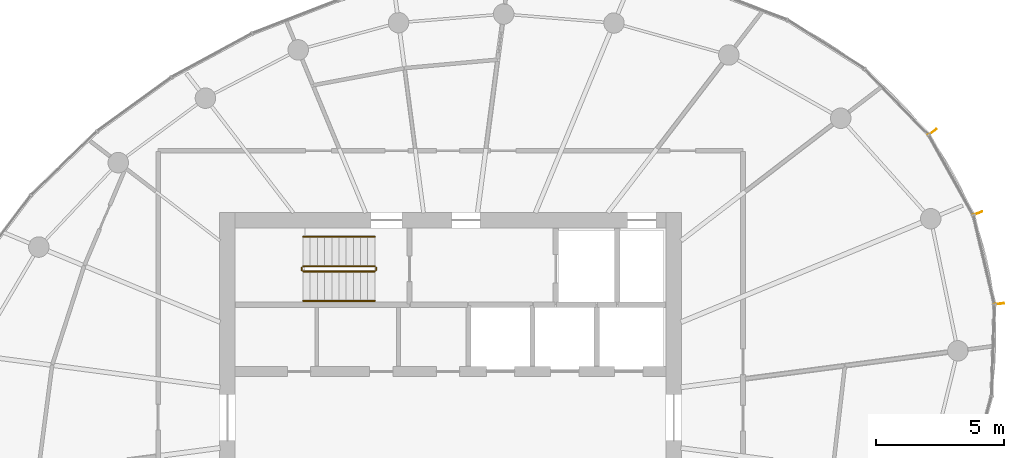
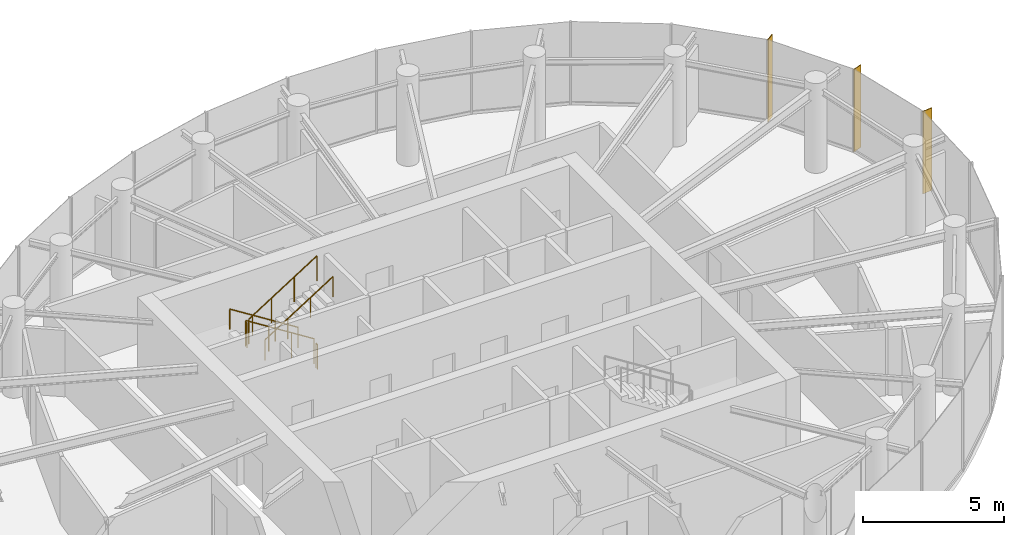
# One storey, part 13 of 13: 6 railings, 3 shading devices.
"""IFC4 building model written with IfcOpenShell, lengths in metres."""

from ifc_helpers import new_model, si_unit, direction, frame, origin, origin_2d, place, context, subcontext, project, spatial, rectangle, circle, extrude, source, transform, mapped, material, material_profile, profile_set, type_object, element, save


model = new_model("IFC4")

# Units and contexts
model_context = context("Model", 3, precision=1e-05, world=origin(), true_north=direction((0.0, 1.0)))
body_context = subcontext(model_context, "Body", "Model", "MODEL_VIEW")
ifc_project = project(units=[si_unit("LENGTHUNIT", "METRE"), si_unit("AREAUNIT", "SQUARE_METRE"), si_unit("VOLUMEUNIT", "CUBIC_METRE"), si_unit("PLANEANGLEUNIT", "RADIAN"), si_unit("MASSUNIT", "GRAM", prefix="KILO")], contexts=[model_context])

# Site, building, storey
site_placement = place(None, origin())
site = spatial("IfcSite", under=ifc_project, at=site_placement, CompositionType="ELEMENT")
building_placement = place(site_placement, origin())
building = spatial("IfcBuilding", under=site, at=building_placement, Name="Spindrift Exchange Tower", CompositionType="ELEMENT")
storey_placement = place(building_placement, frame((0.0, 0.0, 242.300048828125)))
storey = spatial("IfcBuildingStorey", under=building, at=storey_placement, Name="L59", CompositionType="ELEMENT", Elevation=242.300048828125)

# Railings
ifc_material_1 = material(Name="Steel balustrade", Category="steel")
railing_type_1 = type_object("IfcRailingType", Name="RL-STAIR-GUARD", PredefinedType="GUARDRAIL", material=ifc_material_1)
railing_1_placement = place(storey_placement, frame((49.050048828125, 53.89990234375, 0.17724609375)))
element("IfcRailing", 1, at=railing_1_placement, inside=storey, type_object=railing_type_1, Name="L59 ST1 stair guard 1", PredefinedType="GUARDRAIL", context=body_context, shape_type="SweptSolid", body=[
    extrude(circle(Radius=0.02392578125, at=origin_2d()), frame((0.0, 0.0, 1.076171875), z_axis=(-0.844908973607, 0.0, 0.534910110503), x_axis=(0.0, -1.0, 0.0)), (0.0, 0.0, 1.0), 3.31396484375),
    extrude(circle(Radius=0.02099609375, at=origin_2d()), origin(), (0.0, 0.0, 1.0), 1.052001953125),
    extrude(circle(Radius=0.02099609375, at=origin_2d()), frame((-0.933349609375, 0.0, 0.5908203125)), (0.0, 0.0, 1.0), 1.052001953125),
    extrude(circle(Radius=0.02099609375, at=origin_2d()), frame((-1.86669921875, 0.0, 1.181884765625)), (0.0, 0.0, 1.0), 1.052001953125),
    extrude(circle(Radius=0.02099609375, at=origin_2d()), frame((-2.800048828125, 0.0, 1.772705078125)), (0.0, 0.0, 1.0), 1.052001953125),
])
railing_2_placement = place(storey_placement, frame((46.199951171875, 53.85009765625, 1.949951171875)))
element("IfcRailing", 2, at=railing_2_placement, inside=storey, type_object=railing_type_1, Name="L59 ST1 stair guard 2", PredefinedType="GUARDRAIL", context=body_context, shape_type="SweptSolid", body=[
    extrude(circle(Radius=0.02392578125, at=origin_2d()), frame((0.0, 0.0, 1.076171875), z_axis=(0.0, -1.0, 0.0), x_axis=(1.0, 0.0, 0.0)), (0.0, 0.0, 1.0), 0.10009765625),
    extrude(circle(Radius=0.02099609375, at=origin_2d()), origin(), (0.0, 0.0, 1.0), 1.052001953125),
    extrude(circle(Radius=0.02099609375, at=origin_2d()), frame((0.0, -0.10009765625, 0.0)), (0.0, 0.0, 1.0), 1.052001953125),
])
railing_3_placement = place(storey_placement, frame((46.25, 53.699951171875, 2.127197265625)))
element("IfcRailing", 3, at=railing_3_placement, inside=storey, type_object=railing_type_1, Name="L59 ST1 stair guard 3", PredefinedType="GUARDRAIL", context=body_context, shape_type="SweptSolid", body=[
    extrude(circle(Radius=0.02392578125, at=origin_2d()), frame((0.0, 0.0, 1.076171875), z_axis=(0.844908973607, 0.0, 0.534910110503), x_axis=(0.0, 1.0, 0.0)), (0.0, 0.0, 1.0), 3.31396484375),
    extrude(circle(Radius=0.02099609375, at=origin_2d()), origin(), (0.0, 0.0, 1.0), 1.052001953125),
    extrude(circle(Radius=0.02099609375, at=origin_2d()), frame((0.933349609375, 0.0, 0.5908203125)), (0.0, 0.0, 1.0), 1.052001953125),
    extrude(circle(Radius=0.02099609375, at=origin_2d()), frame((1.86669921875, 0.0, 1.181884765625)), (0.0, 0.0, 1.0), 1.052001953125),
    extrude(circle(Radius=0.02099609375, at=origin_2d()), frame((2.800048828125, 0.0, 1.772705078125)), (0.0, 0.0, 1.0), 1.052001953125),
])
railing_4_placement = place(storey_placement, frame((49.10009765625, 53.85009765625, 0.0)))
element("IfcRailing", 4, at=railing_4_placement, inside=storey, type_object=railing_type_1, Name="L59 ST1 stair guard 4", PredefinedType="GUARDRAIL", context=body_context, shape_type="SweptSolid", body=[
    extrude(circle(Radius=0.02392578125, at=origin_2d()), frame((0.0, 0.0, 1.076171875), z_axis=(0.0, -1.0, 0.0), x_axis=(1.0, 0.0, 0.0)), (0.0, 0.0, 1.0), 0.10009765625),
    extrude(circle(Radius=0.02099609375, at=origin_2d()), origin(), (0.0, 0.0, 1.0), 1.052001953125),
    extrude(circle(Radius=0.02099609375, at=origin_2d()), frame((0.0, -0.10009765625, 0.0)), (0.0, 0.0, 1.0), 1.052001953125),
])
ifc_material_2 = material(Name="Steel tubular handrail", Category="steel")
railing_type_2 = type_object("IfcRailingType", Name="RL-STAIR-HAND", PredefinedType="HANDRAIL", material=ifc_material_2)
railing_5_placement = place(storey_placement, frame((49.050048828125, 55.050048828125, 0.17724609375)))
element("IfcRailing", 5, at=railing_5_placement, inside=storey, type_object=railing_type_2, Name="L59 ST1 stair handrail 1", PredefinedType="HANDRAIL", context=body_context, shape_type="SweptSolid", body=[
    extrude(circle(Radius=0.02392578125, at=origin_2d()), frame((0.0, 0.0, 0.8759765625), z_axis=(-0.844908973607, 0.0, 0.534910110503), x_axis=(0.0, -1.0, 0.0)), (0.0, 0.0, 1.0), 3.31396484375),
    extrude(circle(Radius=0.02099609375, at=origin_2d()), origin(), (0.0, 0.0, 1.0), 0.851806640625),
    extrude(circle(Radius=0.02099609375, at=origin_2d()), frame((-0.933349609375, 0.0, 0.5908203125)), (0.0, 0.0, 1.0), 0.851806640625),
    extrude(circle(Radius=0.02099609375, at=origin_2d()), frame((-1.86669921875, 0.0, 1.181884765625)), (0.0, 0.0, 1.0), 0.851806640625),
    extrude(circle(Radius=0.02099609375, at=origin_2d()), frame((-2.800048828125, 0.0, 1.772705078125)), (0.0, 0.0, 1.0), 0.851806640625),
])
railing_6_placement = place(storey_placement, frame((46.25, 52.550048828125, 2.127197265625)))
element("IfcRailing", 6, at=railing_6_placement, inside=storey, type_object=railing_type_2, Name="L59 ST1 stair handrail 2", PredefinedType="HANDRAIL", context=body_context, shape_type="SweptSolid", body=[
    extrude(circle(Radius=0.02392578125, at=origin_2d()), frame((0.0, 0.0, 0.8759765625), z_axis=(0.844908973607, 0.0, 0.534910110503), x_axis=(0.0, 1.0, 0.0)), (0.0, 0.0, 1.0), 3.31396484375),
    extrude(circle(Radius=0.02099609375, at=origin_2d()), origin(), (0.0, 0.0, 1.0), 0.851806640625),
    extrude(circle(Radius=0.02099609375, at=origin_2d()), frame((0.933349609375, 0.0, 0.5908203125)), (0.0, 0.0, 1.0), 0.851806640625),
    extrude(circle(Radius=0.02099609375, at=origin_2d()), frame((1.86669921875, 0.0, 1.181884765625)), (0.0, 0.0, 1.0), 0.851806640625),
    extrude(circle(Radius=0.02099609375, at=origin_2d()), frame((2.800048828125, 0.0, 1.772705078125)), (0.0, 0.0, 1.0), 0.851806640625),
])

# Shading devices
ifc_material_3 = material(Name="Bronze anodised aluminium", Category="aluminium")
ifc_material_profile = material_profile(ifc_material_3, rectangle(XDim=0.030029296875, YDim=0.39990234375, at=origin_2d()), Name="WIND FIN 30X400")
ifc_profile_set = profile_set([ifc_material_profile], Name="Bronze anodised aluminium")
shading_device_type = type_object("IfcShadingDeviceType", Name="WIND FIN 30X400", PredefinedType="USERDEFINED", material=ifc_profile_set)
shared_shape = source(origin(), body_context, "Body", "SweptSolid", [
    extrude(rectangle(XDim=0.030029296875, YDim=0.39990234375, at=origin_2d()), origin(), (0.0, 0.0, 1.0), 3.579833984375),
])
for number, where, z_axis, x_axis, name in (
    (7, (72.541259765625, 55.959716796875, 0.0), (0.0, 0.0, 1.0), (-0.361318634764, 0.932442407965, 0.0), "L59 wind fin 4"),
    (8, (70.781005859375, 59.12646484375, 0.0), (0.0, 0.0, 1.0), (-0.596562506791, 0.802566617479, 0.0), "L59 wind fin 5"),
    (9, (73.37451171875, 52.43359375, 0.0), (0.0, 0.0, 1.0), (-0.099979673697, 0.994989479767, 0.0), "L59 wind fin 6"),
):
    element("IfcShadingDevice", number, at=place(storey_placement, frame(where, z_axis=z_axis, x_axis=x_axis)), inside=storey, type_object=shading_device_type, Name=name, ObjectType="FIN", PredefinedType="USERDEFINED", context=body_context, shape_type="MappedRepresentation", body=[
        mapped(shared_shape, transform((0.0, 0.0, 0.0), scale=1.0)),
    ])

save(model, "model.ifc")
